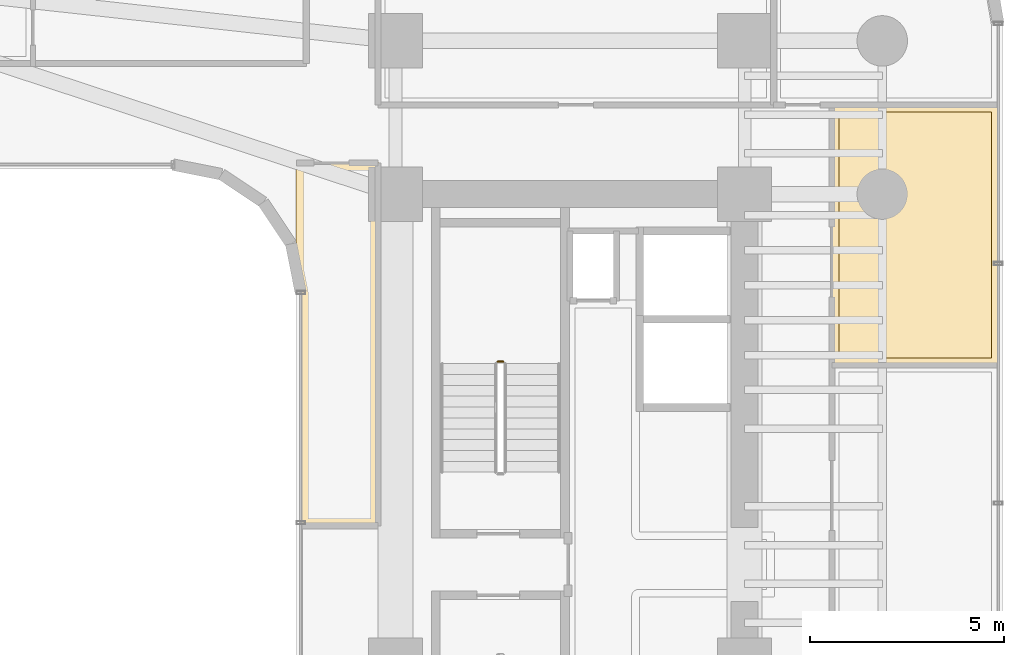
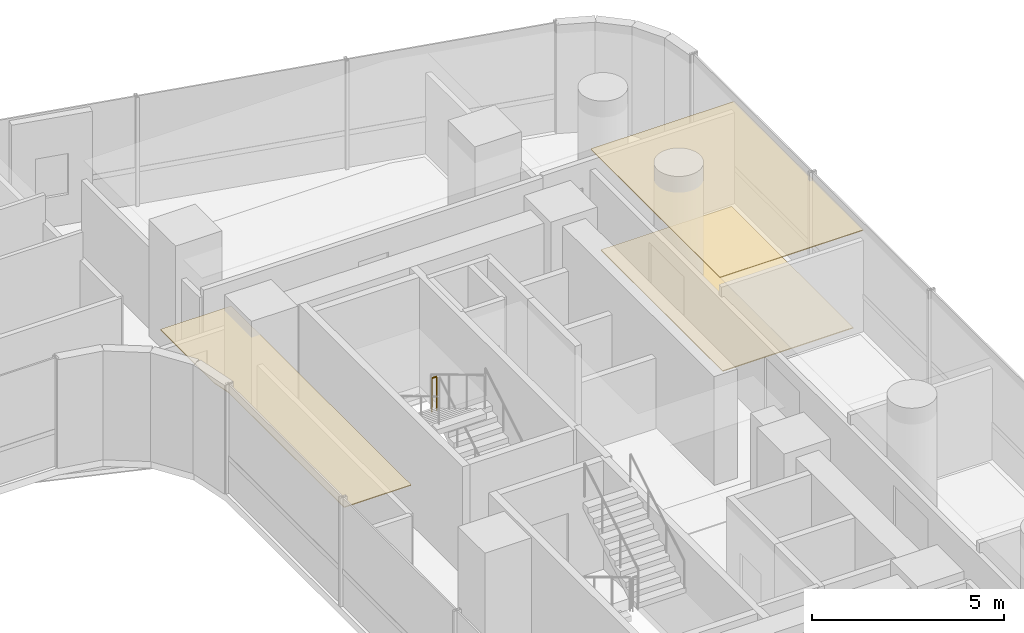
# One storey, part 40 of 41: 3 coverings, 1 railing.
"""IFC4 building model written with IfcOpenShell, lengths in metres."""

from ifc_helpers import new_model, si_unit, direction, frame, origin, origin_2d, place, context, subcontext, project, spatial, polyline, circle, outline, extrude, material, layer, layer_set, type_object, element, save


model = new_model("IFC4")

# Units and contexts
model_context = context("Model", 3, precision=1e-05, world=origin(), true_north=direction((0.0, 1.0)))
body_context = subcontext(model_context, "Body", "Model", "MODEL_VIEW")
ifc_project = project(units=[si_unit("LENGTHUNIT", "METRE"), si_unit("AREAUNIT", "SQUARE_METRE"), si_unit("VOLUMEUNIT", "CUBIC_METRE"), si_unit("PLANEANGLEUNIT", "RADIAN"), si_unit("MASSUNIT", "GRAM", prefix="KILO")], contexts=[model_context])

# Site, building, storey
site_placement = place(None, origin())
site = spatial("IfcSite", under=ifc_project, at=site_placement, CompositionType="ELEMENT")
building_placement = place(site_placement, origin())
building = spatial("IfcBuilding", under=site, at=building_placement, Name="Valdorenza Pilgrim Sanctuary Tower", CompositionType="ELEMENT")
storey_placement = place(building_placement, frame((0.0, 0.0, 85.199951171875)))
storey = spatial("IfcBuildingStorey", under=building, at=storey_placement, Name="L21", CompositionType="ELEMENT", Elevation=85.199951171875)

# Coverings
ifc_material_1 = material(Name="Micro-perforated acoustic mineral ceiling tile", Category="gypsum")
ifc_layer_1 = layer(ifc_material_1, 0.02490234375, Name="Micro-perforated acoustic mineral ceiling tile")
ifc_layer_set_1 = layer_set([ifc_layer_1], Name="Micro-perforated acoustic mineral ceiling tile")
covering_type_1 = type_object("IfcCoveringType", Name="COV-CLG-ACU", PredefinedType="CEILING", material=ifc_layer_set_1)
covering_1_placement = place(storey_placement, frame((0.0, 0.0, 3.16015625)))
element("IfcCovering", 1, at=covering_1_placement, inside=storey, type_object=covering_type_1, Name="L21 East Reading Lounge L21-EB4 Acoustic Ceiling", PredefinedType="CEILING", context=body_context, shape_type="SweptSolid", body=[
    extrude(outline(polyline([(27.0849609375, 11.847900390625), (27.085205078125, 11.849609375), (27.085205078125, 11.850830078125), (27.085693359375, 11.852294921875), (27.086181640625, 11.853759765625), (27.0869140625, 11.85498046875), (27.08740234375, 11.856201171875), (27.08837890625, 11.857421875), (27.08935546875, 11.858642578125), (27.090576171875, 11.859619140625), (27.091796875, 11.860595703125), (27.093017578125, 11.861083984375), (27.09423828125, 11.86181640625), (27.095703125, 11.8623046875), (27.09716796875, 11.86279296875), (27.098388671875, 11.86279296875), (27.10009765625, 11.863037109375), (31.389892578125, 11.863037109375), (31.3916015625, 11.86279296875), (31.392822265625, 11.86279296875), (31.394287109375, 11.8623046875), (31.395751953125, 11.86181640625), (31.397216796875, 11.861083984375), (31.398193359375, 11.860595703125), (31.3994140625, 11.859619140625), (31.400634765625, 11.858642578125), (31.401611328125, 11.857421875), (31.402587890625, 11.856201171875), (31.4033203125, 11.85498046875), (31.40380859375, 11.853759765625), (31.404296875, 11.852294921875), (31.40478515625, 11.850830078125), (31.40478515625, 11.849609375), (31.405029296875, 11.847900390625), (31.405029296875, 5.139404296875), (31.40478515625, 5.137939453125), (31.40478515625, 5.13671875), (31.404296875, 5.135009765625), (31.40380859375, 5.1337890625), (31.4033203125, 5.13232421875), (31.402587890625, 5.131103515625), (31.401611328125, 5.1298828125), (31.400634765625, 5.12890625), (31.3994140625, 5.1279296875), (31.398193359375, 5.126953125), (31.397216796875, 5.126220703125), (31.395751953125, 5.12548828125), (31.394287109375, 5.125), (31.392822265625, 5.124755859375), (31.3916015625, 5.12451171875), (31.389892578125, 5.12451171875), (27.10009765625, 5.12451171875), (27.098388671875, 5.12451171875), (27.09716796875, 5.124755859375), (27.095703125, 5.125), (27.09423828125, 5.12548828125), (27.093017578125, 5.126220703125), (27.091796875, 5.126953125), (27.090576171875, 5.1279296875), (27.08935546875, 5.12890625), (27.08837890625, 5.1298828125), (27.08740234375, 5.131103515625), (27.0869140625, 5.13232421875), (27.086181640625, 5.1337890625), (27.085693359375, 5.135009765625), (27.085205078125, 5.13671875), (27.085205078125, 5.137939453125), (27.0849609375, 5.139404296875), (27.0849609375, 11.847900390625)])), origin(), (0.0, 0.0, 1.0), 0.02490234375),
])
covering_2_placement = place(storey_placement, frame((0.0, 0.0, 3.16015625)))
element("IfcCovering", 2, at=covering_2_placement, inside=storey, type_object=covering_type_1, Name="L21 Courtyard Overlook Salon L21 Acoustic Ceiling", PredefinedType="CEILING", context=body_context, shape_type="SweptSolid", body=[
    extrude(outline(polyline([(15.39990234375, 10.364990234375), (15.401611328125, 10.364990234375), (15.40283203125, 10.36474609375), (15.404296875, 10.364501953125), (15.40576171875, 10.364013671875), (15.406982421875, 10.36328125), (15.408203125, 10.362548828125), (15.409423828125, 10.361572265625), (15.41064453125, 10.360595703125), (15.41162109375, 10.359619140625), (15.41259765625, 10.3583984375), (15.4130859375, 10.357177734375), (15.413818359375, 10.355712890625), (15.414306640625, 10.3544921875), (15.414794921875, 10.352783203125), (15.414794921875, 10.3515625), (15.4150390625, 10.35009765625), (15.4150390625, 1.0), (15.414794921875, 0.99853515625), (15.414794921875, 0.9970703125), (15.414306640625, 0.99560546875), (15.413818359375, 0.994384765625), (15.4130859375, 0.992919921875), (15.41259765625, 0.99169921875), (15.41162109375, 0.990478515625), (15.41064453125, 0.989501953125), (15.409423828125, 0.98828125), (15.408203125, 0.987548828125), (15.406982421875, 0.98681640625), (15.40576171875, 0.986083984375), (15.404296875, 0.985595703125), (15.40283203125, 0.9853515625), (15.401611328125, 0.985107421875), (15.39990234375, 0.985107421875), (13.409912109375, 0.985107421875), (13.408447265625, 0.985107421875), (13.406982421875, 0.9853515625), (13.405517578125, 0.985595703125), (13.404296875, 0.986083984375), (13.40283203125, 0.98681640625), (13.401611328125, 0.987548828125), (13.400390625, 0.98828125), (13.3994140625, 0.989501953125), (13.3984375, 0.990478515625), (13.3974609375, 0.99169921875), (13.396728515625, 0.992919921875), (13.39599609375, 0.994384765625), (13.3955078125, 0.99560546875), (13.395263671875, 0.9970703125), (13.39501953125, 0.99853515625), (13.39501953125, 1.0), (13.39501953125, 6.99951171875), (13.39453125, 7.00927734375), (13.39306640625, 7.018798828125), (13.285400390625, 7.560791015625), (13.28515625, 7.562255859375), (13.284912109375, 7.563720703125), (13.284912109375, 10.35009765625), (13.28515625, 10.3515625), (13.285400390625, 10.352783203125), (13.28564453125, 10.3544921875), (13.2861328125, 10.355712890625), (13.286865234375, 10.357177734375), (13.28759765625, 10.3583984375), (13.288330078125, 10.359619140625), (13.289306640625, 10.360595703125), (13.29052734375, 10.361572265625), (13.291748046875, 10.362548828125), (13.29296875, 10.36328125), (13.294189453125, 10.364013671875), (13.295654296875, 10.364501953125), (13.297119140625, 10.36474609375), (13.298583984375, 10.364990234375), (13.300048828125, 10.364990234375), (15.39990234375, 10.364990234375)])), origin(), (0.0, 0.0, 1.0), 0.02490234375),
])
ifc_material_2 = material(Name="Honed travertine stone flooring", Category="masonry")
ifc_layer_2 = layer(ifc_material_2, 0.030029296875, Name="Honed travertine stone flooring")
ifc_layer_set_2 = layer_set([ifc_layer_2], Name="Honed travertine stone flooring")
covering_type_2 = type_object("IfcCoveringType", Name="COV-FLR-TRV", PredefinedType="FLOORING", material=ifc_layer_set_2)
covering_3_placement = place(storey_placement, origin())
element("IfcCovering", 3, at=covering_3_placement, inside=storey, type_object=covering_type_2, Name="L21 East Reading Lounge L21-EB4 Flooring", PredefinedType="FLOORING", context=body_context, shape_type="SweptSolid", body=[
    extrude(outline(polyline([(27.280029296875, 11.66796875), (31.2099609375, 11.66796875), (31.2099609375, 5.319580078125), (27.280029296875, 5.319580078125), (27.280029296875, 11.66796875)])), origin(), (0.0, 0.0, 1.0), 0.025146484375),
])

# Railing
ifc_material_3 = material(Name="Stainless steel Grade 316", Category="steel")
railing_type = type_object("IfcRailingType", Name="RLG-GRD-1120", PredefinedType="GUARDRAIL", material=ifc_material_3)
railing_placement = place(storey_placement, frame((18.6298828125, 5.22998046875, 1.85009765625)))
element("IfcRailing", 4, at=railing_placement, inside=storey, type_object=railing_type, Name="L21 ST-B1 stair guard 2", PredefinedType="GUARDRAIL", context=body_context, shape_type="SweptSolid", body=[
    extrude(circle(Radius=0.02392578125, at=origin_2d()), frame((0.0, 0.0, 1.076171875), z_axis=(-1.0, 0.0, 0.0), x_axis=(0.0, -1.0, 0.0)), (0.0, 0.0, 1.0), 0.14990234375),
    extrude(circle(Radius=0.02099609375, at=origin_2d()), origin(), (0.0, 0.0, 1.0), 1.052001953125),
    extrude(circle(Radius=0.02099609375, at=origin_2d()), frame((-0.14990234375, 0.0, 0.0)), (0.0, 0.0, 1.0), 1.052001953125),
])

save(model, "model.ifc")
